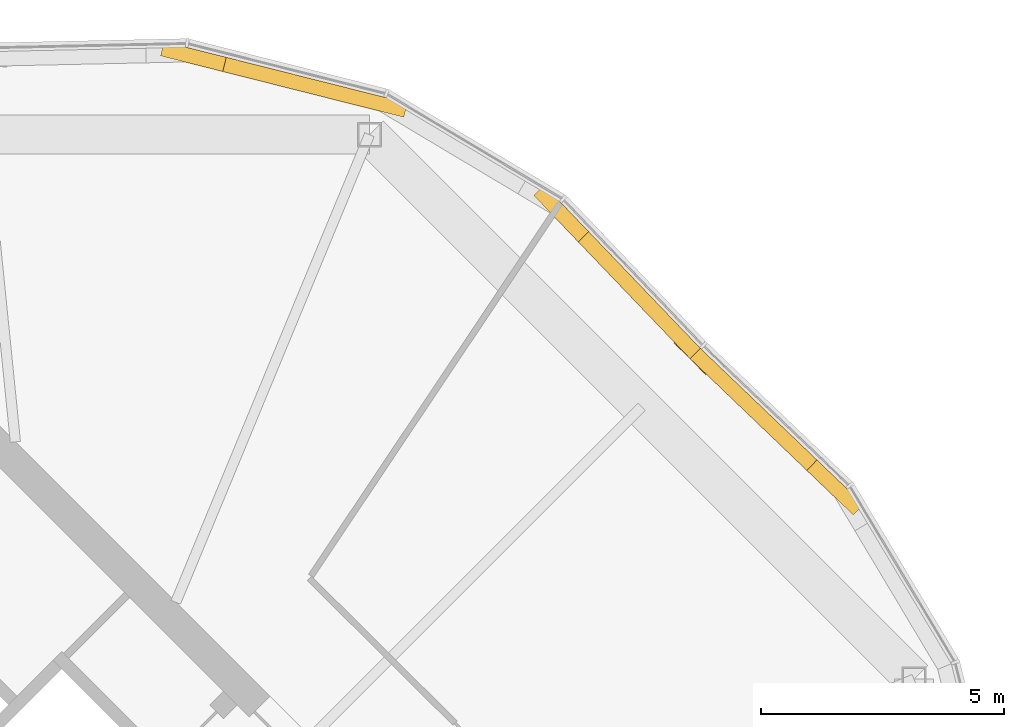
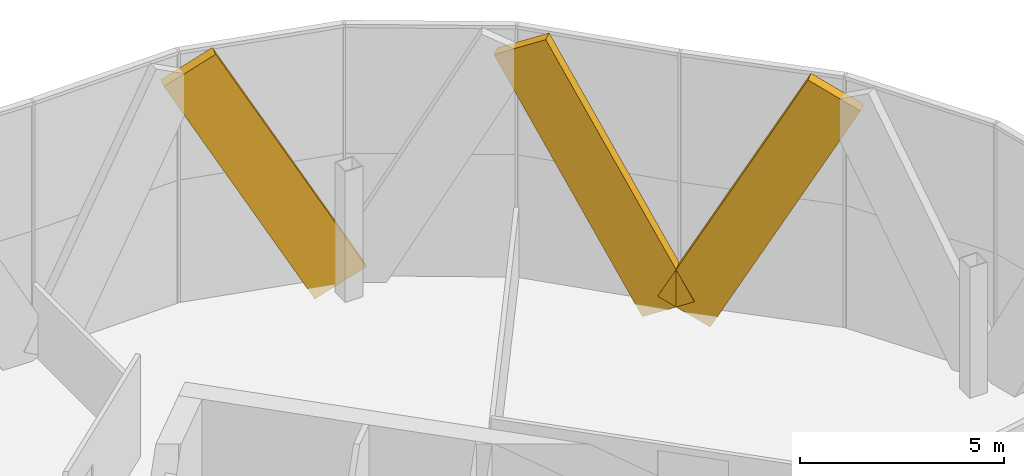
# One storey, part 25 of 26: 3 coverings.
"""IFC4 building model written with IfcOpenShell, lengths in metres."""

from ifc_helpers import new_model, si_unit, direction, frame, origin, origin_2d, place, context, subcontext, project, spatial, rectangle, extrude, material, material_profile, profile_set, type_object, element, save


model = new_model("IFC4")

# Units and contexts
model_context = context("Model", 3, precision=1e-05, world=origin(), true_north=direction((0.0, 1.0)))
body_context = subcontext(model_context, "Body", "Model", "MODEL_VIEW")
ifc_project = project(units=[si_unit("LENGTHUNIT", "METRE"), si_unit("AREAUNIT", "SQUARE_METRE"), si_unit("VOLUMEUNIT", "CUBIC_METRE"), si_unit("PLANEANGLEUNIT", "RADIAN"), si_unit("MASSUNIT", "GRAM", prefix="KILO")], contexts=[model_context])

# Site, building, storey
site_placement = place(None, origin())
site = spatial("IfcSite", under=ifc_project, at=site_placement, CompositionType="ELEMENT")
building_placement = place(site_placement, origin())
building = spatial("IfcBuilding", under=site, at=building_placement, Name="Ogive Gate Towers", CompositionType="ELEMENT")
storey_placement = place(building_placement, frame((0.0, 0.0, 208.5)))
storey = spatial("IfcBuildingStorey", under=building, at=storey_placement, Name="L50", CompositionType="ELEMENT", Elevation=208.5)

# Coverings
ifc_material = material(Name="Pale metal aluminium", Category="aluminium")
ifc_material_profile = material_profile(ifc_material, rectangle(XDim=0.300048828125, YDim=1.5, at=origin_2d()), Name="1500 x 300 pale metal aluminium")
ifc_profile_set = profile_set([ifc_material_profile], Name="Pale metal aluminium")
covering_type = type_object("IfcCoveringType", Name="Facade fin 1500 x 300", PredefinedType="CLADDING", material=ifc_profile_set)
covering_1_placement = place(storey_placement, frame((50.755859375, 14.481689453125, 0.00341796875), z_axis=(0.340432886785, -0.325891478476, 0.881986504348), x_axis=(0.691510716384, 0.722366201539, 0.0)))
element("IfcCovering", 1, at=covering_1_placement, inside=storey, type_object=covering_type, Name="Facade fin", PredefinedType="CLADDING", context=body_context, shape_type="SweptSolid", body=[
    extrude(rectangle(XDim=0.300048828125, YDim=1.5, at=origin_2d()), origin(), (0.0, 0.0, 1.0), 8.0419921875),
])
covering_2_placement = place(storey_placement, frame((44.022216796875, 19.78125, 0.00732421875), z_axis=(-0.462067974669, 0.11656969557, 0.879149983143), x_axis=(-0.244614153772, -0.969620500905, 0.0)))
element("IfcCovering", 2, at=covering_2_placement, inside=storey, type_object=covering_type, Name="Facade fin", PredefinedType="CLADDING", context=body_context, shape_type="SweptSolid", body=[
    extrude(rectangle(XDim=0.300048828125, YDim=1.5, at=origin_2d()), origin(), (0.0, 0.0, 1.0), 8.05908203125),
])
covering_3_placement = place(storey_placement, frame((50.481689453125, 14.755859375, 0.00341796875), z_axis=(-0.325891478476, 0.340432886785, 0.881986504348), x_axis=(-0.722366201539, -0.691510716384, 0.0)))
element("IfcCovering", 3, at=covering_3_placement, inside=storey, type_object=covering_type, Name="Facade fin", PredefinedType="CLADDING", context=body_context, shape_type="SweptSolid", body=[
    extrude(rectangle(XDim=0.300048828125, YDim=1.5, at=origin_2d()), origin(), (0.0, 0.0, 1.0), 8.0419921875),
])

save(model, "model.ifc")
